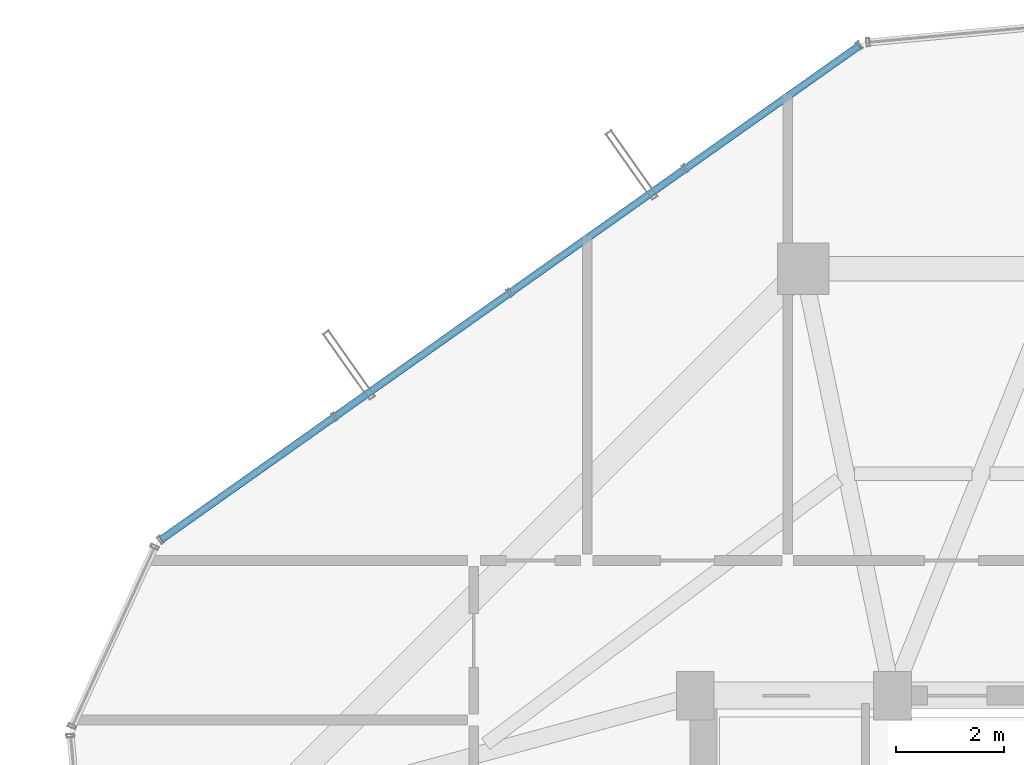
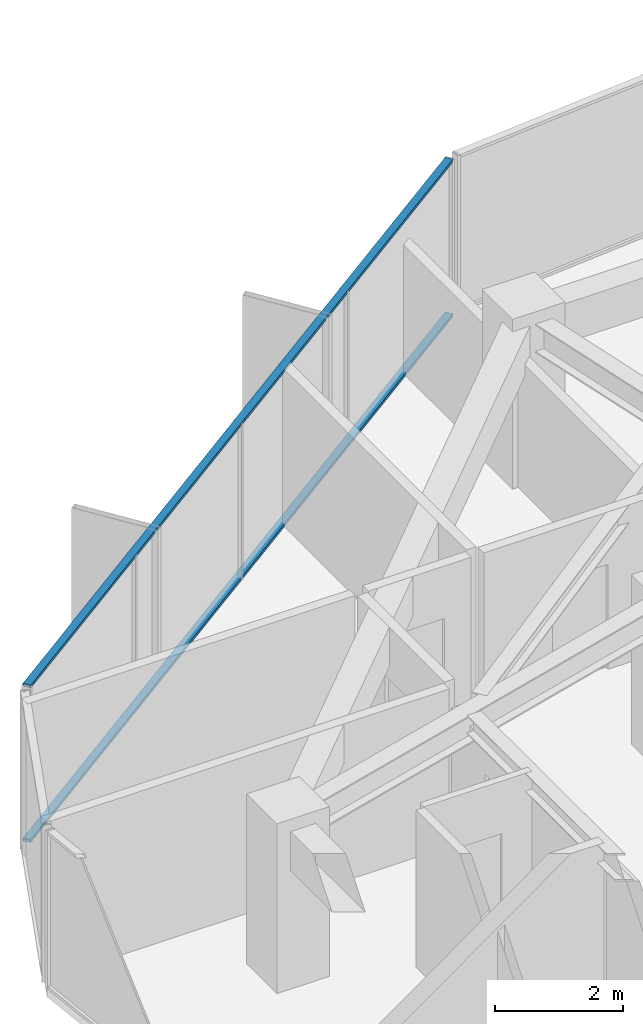
# One storey, part 22 of 32: 2 members, 1 element without a shape of its own.
"""IFC4 building model written with IfcOpenShell, lengths in metres."""

from ifc_helpers import new_model, si_unit, direction, frame, origin, origin_2d, place, context, subcontext, project, spatial, hollow_rectangle, extrude, source, transform, mapped, material, layer, layer_set, material_profile, profile_set, type_object, element, aggregate, save


model = new_model("IFC4")

# Units and contexts
model_context = context("Model", 3, precision=1e-05, world=origin(), true_north=direction((0.0, 1.0)))
body_context = subcontext(model_context, "Body", "Model", "MODEL_VIEW")
ifc_project = project(units=[si_unit("LENGTHUNIT", "METRE"), si_unit("AREAUNIT", "SQUARE_METRE"), si_unit("VOLUMEUNIT", "CUBIC_METRE"), si_unit("PLANEANGLEUNIT", "RADIAN"), si_unit("MASSUNIT", "GRAM", prefix="KILO")], contexts=[model_context])

# Site, building, storey
site_placement = place(None, origin())
site = spatial("IfcSite", under=ifc_project, at=site_placement, CompositionType="ELEMENT")
building_placement = place(site_placement, origin())
building = spatial("IfcBuilding", under=site, at=building_placement, Name="Veraguas Prism Commons", CompositionType="ELEMENT")
storey_placement = place(building_placement, frame((0.0, 0.0, 188.60009765625)))
storey = spatial("IfcBuildingStorey", under=building, at=storey_placement, Name="L53", CompositionType="ELEMENT", Elevation=188.60009765625)

# Curtain wall, members
ifc_material = material(Name="Anodised aluminium EN AW-6063 T6", Category="aluminium")
ifc_layer = layer(ifc_material, 0.14990234375, Name="Unitised Flush Curtain Wall Zone 3", Category="aluminium")
ifc_layer_set = layer_set([ifc_layer], Name="Anodised aluminium EN AW-6063 T6")
curtain_wall_type = type_object("IfcCurtainWallType", Name="Unitised Flush Curtain Wall Zone 3", PredefinedType="NOTDEFINED", material=ifc_layer_set)
curtain_wall_placement = place(storey_placement, origin())
curtain_wall = element("IfcCurtainWall", 1, at=curtain_wall_placement, inside=storey, type_object=curtain_wall_type, Name="Tower Facade Curtain Wall L53-F2", PredefinedType="NOTDEFINED")
ifc_material_profile = material_profile(ifc_material, hollow_rectangle(XDim=0.054931640625, YDim=0.135009765625, WallThickness=0.0029296875, at=origin_2d()), Name="AL55X135X3")
ifc_profile_set = profile_set([ifc_material_profile], Name="Anodised aluminium EN AW-6063 T6")
member_type = type_object("IfcMemberType", Name="Curtain Wall Transom Standard AL 55x135x3", PredefinedType="USERDEFINED", material=ifc_profile_set)
shared_shape = source(origin(), body_context, "Body", "SweptSolid", [
    extrude(hollow_rectangle(XDim=0.054931640625, YDim=0.135009765625, WallThickness=0.0029296875, at=origin_2d()), origin(), (0.0, 0.0, 1.0), 15.842041015625),
])
member_1_placement = place(storey_placement, frame((20.2373046875, 43.032470703125, 0.02734375), z_axis=(-0.816342978454, -0.577567434616, 0.0), x_axis=(0.0, 0.0, 1.0)))
member_1 = element("IfcMember", 2, at=member_1_placement, type_object=member_type, Name="CW-Z3 Transom 1", ObjectType="TRANSOM", PredefinedType="USERDEFINED", context=body_context, shape_type="MappedRepresentation", body=[
    mapped(shared_shape, transform((0.0, 0.0, 0.0), scale=1.0)),
])
member_2_placement = place(storey_placement, frame((20.2373046875, 43.032470703125, 2.9873046875), z_axis=(-0.816342978454, -0.577567434616, 0.0), x_axis=(0.0, 0.0, 1.0)))
member_2 = element("IfcMember", 3, at=member_2_placement, type_object=member_type, Name="CW-Z3 Transom 2", ObjectType="TRANSOM", PredefinedType="USERDEFINED", context=body_context, shape_type="MappedRepresentation", body=[
    mapped(shared_shape, transform((0.0, 0.0, 0.0), scale=1.0)),
])
aggregate(curtain_wall, [member_1, member_2])

save(model, "model.ifc")
